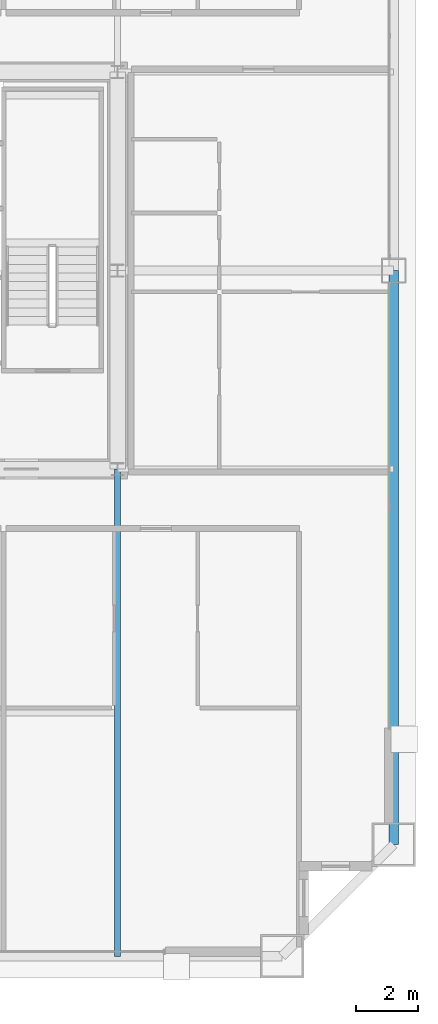
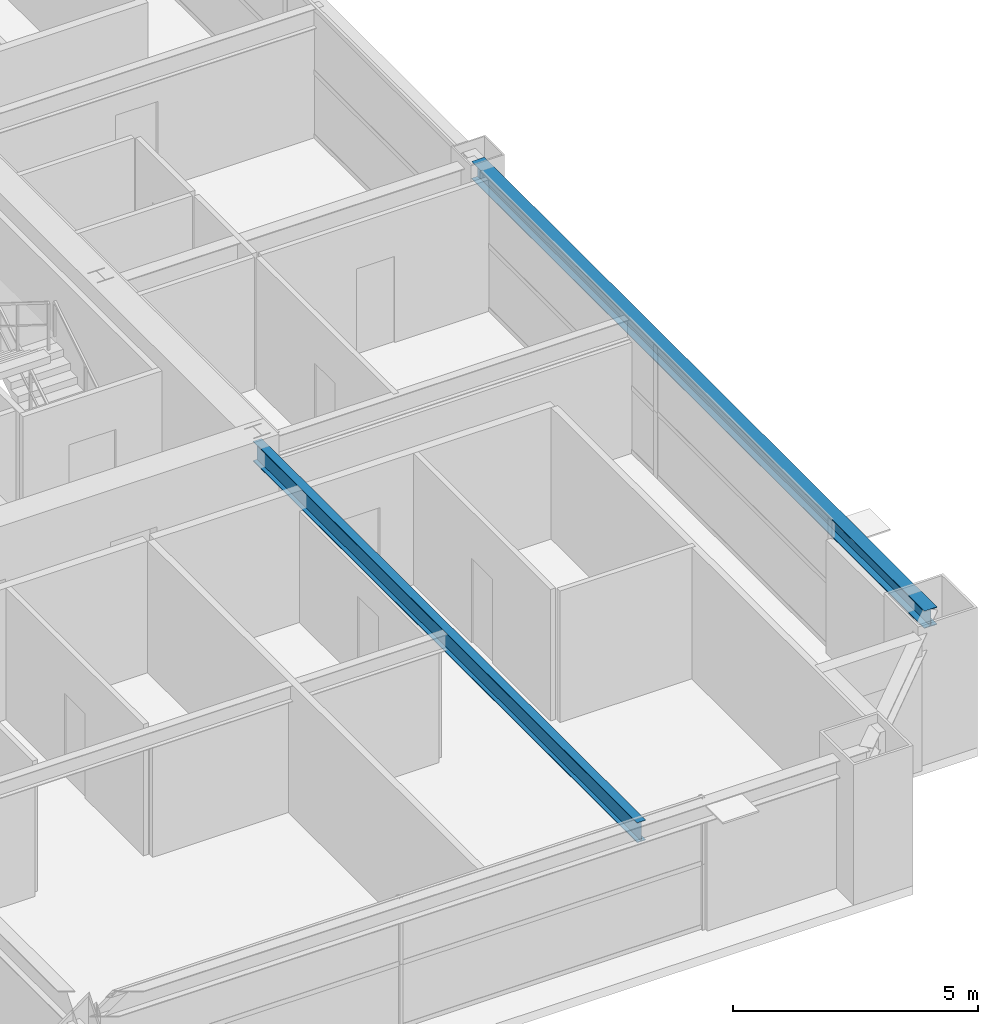
# One storey, part 17 of 38: 2 beams.
"""IFC4 building model written with IfcOpenShell, lengths in metres."""

from ifc_helpers import new_model, si_unit, direction, frame, origin, origin_2d, place, context, subcontext, project, spatial, i_section, extrude, source, transform, mapped, material, material_profile, profile_set, type_object, element, save


model = new_model("IFC4")

# Units and contexts
model_context = context("Model", 3, precision=1e-05, world=origin(), true_north=direction((0.0, 1.0)))
body_context = subcontext(model_context, "Body", "Model", "MODEL_VIEW")
ifc_project = project(units=[si_unit("LENGTHUNIT", "METRE"), si_unit("AREAUNIT", "SQUARE_METRE"), si_unit("VOLUMEUNIT", "CUBIC_METRE"), si_unit("PLANEANGLEUNIT", "RADIAN"), si_unit("MASSUNIT", "GRAM", prefix="KILO"), si_unit("THERMODYNAMICTEMPERATUREUNIT", "KELVIN"), si_unit("POWERUNIT", "WATT")], contexts=[model_context])

# Site, building, storey
site_placement = place(None, origin())
site = spatial("IfcSite", under=ifc_project, at=site_placement, CompositionType="ELEMENT")
building_placement = place(site_placement, origin())
building = spatial("IfcBuilding", under=site, at=building_placement, Name="Yuzanri Waterfront Tower", CompositionType="ELEMENT")
storey_placement = place(building_placement, frame((0.0, 0.0, 188.0)))
storey = spatial("IfcBuildingStorey", under=building, at=storey_placement, Name="L49", CompositionType="ELEMENT", Elevation=188.0)

# Beams
ifc_material_1 = material(Name="Steel Q355B", Category="steel")
ifc_material_profile_1 = material_profile(ifc_material_1, i_section(OverallWidth=0.300048828125, OverallDepth=0.43994140625, WebThickness=0.010986328125, FlangeThickness=0.01806640625, at=origin_2d()), Name="HM 440x300x11x18")
ifc_profile_set_1 = profile_set([ifc_material_profile_1], Name="Steel Q355B")
beam_type_1 = type_object("IfcBeamType", Name="Perimeter Spandrel Q355B HM 440x300", PredefinedType="SPANDREL", material=ifc_profile_set_1)
shared_shape_1 = source(origin(), body_context, "Body", "SweptSolid", [
    extrude(i_section(OverallWidth=0.300048828125, OverallDepth=0.43994140625, WebThickness=0.010986328125, FlangeThickness=0.01806640625, at=origin_2d()), origin(), (0.0, 0.0, 1.0), 18.5),
])
beam_1_placement = place(storey_placement, frame((59.10009765625, 7.300048828125, 3.06005859375), z_axis=(0.0, 1.0, 0.0), x_axis=(-1.0, 0.0, 0.0)))
element("IfcBeam", 1, at=beam_1_placement, inside=storey, type_object=beam_type_1, Name="L49 Perimeter Spandrel E1-E2", PredefinedType="SPANDREL", context=body_context, shape_type="MappedRepresentation", body=[
    mapped(shared_shape_1, transform((0.0, 0.0, 0.0), scale=1.0)),
])
ifc_material_2 = material(Name="Steel Q355B", Category="steel")
ifc_material_profile_2 = material_profile(ifc_material_2, i_section(OverallWidth=0.199951171875, OverallDepth=0.5, WebThickness=0.010009765625, FlangeThickness=0.01611328125, at=origin_2d()), Name="HN 500x200x10x16")
ifc_profile_set_2 = profile_set([ifc_material_profile_2], Name="Steel Q355B")
beam_type_2 = type_object("IfcBeamType", Name="Secondary Floor Beam Q355B HN 500x200", PredefinedType="BEAM", material=ifc_profile_set_2)
shared_shape_2 = source(origin(), body_context, "Body", "SweptSolid", [
    extrude(i_section(OverallWidth=0.199951171875, OverallDepth=0.5, WebThickness=0.010009765625, FlangeThickness=0.01611328125, at=origin_2d()), origin(), (0.0, 0.0, 1.0), 15.699951171875),
])
beam_2_placement = place(storey_placement, frame((50.199951171875, 19.39990234375, 3.030029296875), z_axis=(0.0, -1.0, 0.0), x_axis=(1.0, 0.0, 0.0)))
element("IfcBeam", 2, at=beam_2_placement, inside=storey, type_object=beam_type_2, Name="L49 South-East Core Line Beam", PredefinedType="BEAM", context=body_context, shape_type="MappedRepresentation", body=[
    mapped(shared_shape_2, transform((0.0, 0.0, 0.0), scale=1.0)),
])

save(model, "model.ifc")
